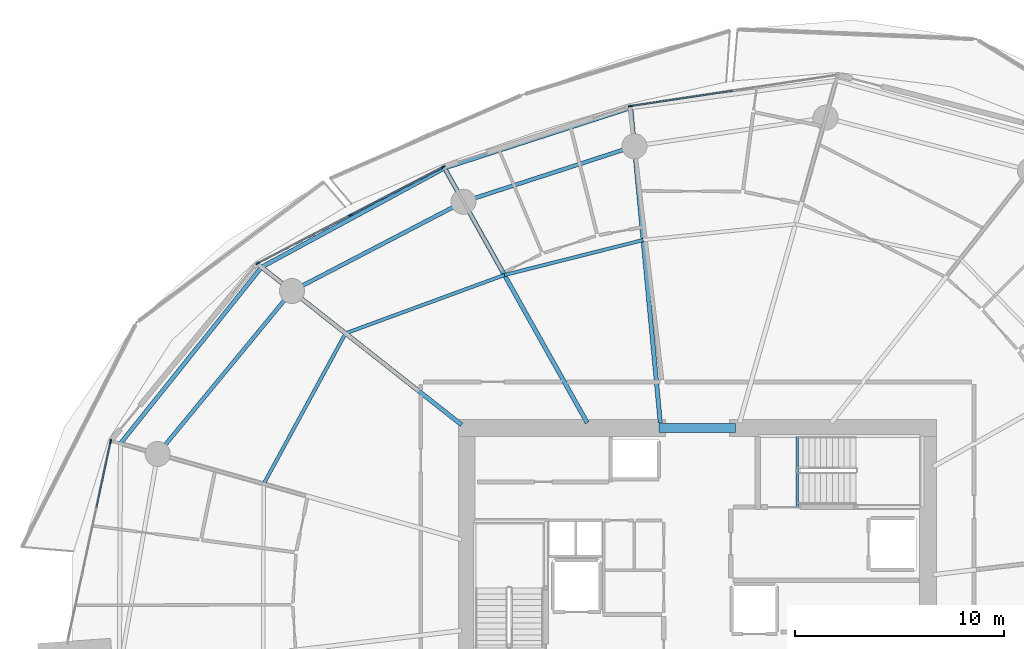
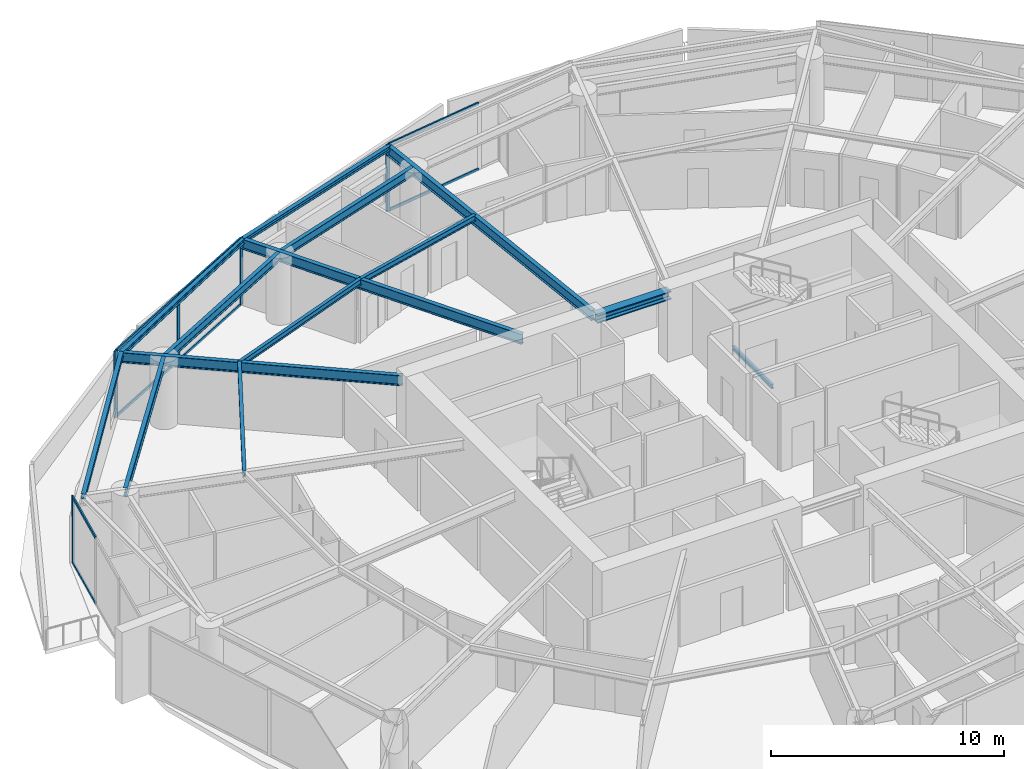
# One storey, part 8 of 23: 14 beams, 13 members, 3 elements without a shape of their own.
"""IFC4 building model written with IfcOpenShell, lengths in metres."""

from ifc_helpers import new_model, si_unit, direction, frame, origin, origin_2d, place, context, subcontext, project, spatial, rectangle, i_section, extrude, material, layer, layer_set, material_profile, profile_set, type_object, element, aggregate, save


model = new_model("IFC4")

# Units and contexts
model_context = context("Model", 3, precision=1e-05, world=origin(), true_north=direction((0.0, 1.0)))
body_context = subcontext(model_context, "Body", "Model", "MODEL_VIEW")
ifc_project = project(units=[si_unit("LENGTHUNIT", "METRE"), si_unit("AREAUNIT", "SQUARE_METRE"), si_unit("VOLUMEUNIT", "CUBIC_METRE"), si_unit("PLANEANGLEUNIT", "RADIAN"), si_unit("MASSUNIT", "GRAM", prefix="KILO")], contexts=[model_context])

# Site, building, storey
site_placement = place(None, origin())
site = spatial("IfcSite", under=ifc_project, at=site_placement, CompositionType="ELEMENT")
building_placement = place(site_placement, origin())
building = spatial("IfcBuilding", under=site, at=building_placement, Name="Kazma Halo Residences", CompositionType="ELEMENT")
storey_placement = place(building_placement, frame((0.0, 0.0, 97.64990234375)))
storey = spatial("IfcBuildingStorey", under=building, at=storey_placement, Name="L24", CompositionType="ELEMENT", Elevation=97.64990234375)

# Beams
ifc_material_1 = material(Name="Steel S355", Category="steel")
ifc_material_profile_1 = material_profile(ifc_material_1, i_section(OverallWidth=0.201904296875, OverallDepth=0.2470703125, WebThickness=0.00732421875, FlangeThickness=0.010986328125, FilletRadius=0.011962890625, at=origin_2d()), Name="W250x49.1")
ifc_profile_set_1 = profile_set([ifc_material_profile_1], Name="Steel S355")
beam_type_1 = type_object("IfcBeamType", Name="BM-BAL-CANT", PredefinedType="BEAM", material=ifc_profile_set_1)
beam_1_placement = place(storey_placement, frame((45.239013671875, 65.7109375, 3.376708984375), z_axis=(-0.951364037255, -0.308068934846, 0.0), x_axis=(0.308068934846, -0.951364037255, 0.0)))
element("IfcBeam", 1, at=beam_1_placement, inside=storey, type_object=beam_type_1, Name="L24 wave-balcony tie beam 04", PredefinedType="BEAM", context=body_context, shape_type="SweptSolid", body=[
    extrude(i_section(OverallWidth=0.201904296875, OverallDepth=0.2470703125, WebThickness=0.00732421875, FlangeThickness=0.010986328125, FilletRadius=0.011962890625, at=origin_2d()), origin(), (0.0, 0.0, 1.0), 9.3583984375),
])
beam_2_placement = place(storey_placement, frame((36.335693359375, 62.827880859375, 3.376708984375), z_axis=(-0.87930438671, -0.476260218276, 0.0), x_axis=(0.476260218276, -0.87930438671, 0.0)))
element("IfcBeam", 2, at=beam_2_placement, inside=storey, type_object=beam_type_1, Name="L24 wave-balcony tie beam 05", PredefinedType="BEAM", context=body_context, shape_type="SweptSolid", body=[
    extrude(i_section(OverallWidth=0.201904296875, OverallDepth=0.2470703125, WebThickness=0.00732421875, FlangeThickness=0.010986328125, FilletRadius=0.011962890625, at=origin_2d()), origin(), (0.0, 0.0, 1.0), 9.94677734375),
])
beam_3_placement = place(storey_placement, frame((27.58935546875, 58.090576171875, 3.376708984375), z_axis=(-0.62477775999, -0.78080263231, 0.0), x_axis=(0.78080263231, -0.62477775999, 0.0)))
element("IfcBeam", 3, at=beam_3_placement, inside=storey, type_object=beam_type_1, Name="L24 wave-balcony tie beam 06", PredefinedType="BEAM", context=body_context, shape_type="SweptSolid", body=[
    extrude(i_section(OverallWidth=0.201904296875, OverallDepth=0.2470703125, WebThickness=0.00732421875, FlangeThickness=0.010986328125, FilletRadius=0.011962890625, at=origin_2d()), origin(), (0.0, 0.0, 1.0), 10.79833984375),
])
ifc_material_profile_2 = material_profile(ifc_material_1, i_section(OverallWidth=0.408935546875, OverallDepth=0.425048828125, WebThickness=0.03271484375, FlangeThickness=0.052490234375, FilletRadius=0.02001953125, at=origin_2d()), Name="W360x421")
ifc_profile_set_2 = profile_set([ifc_material_profile_2], Name="Steel S355")
beam_type_2 = type_object("IfcBeamType", Name="BM-CORE-W360H", PredefinedType="BEAM", material=ifc_profile_set_2)
beam_4_placement = place(storey_placement, frame((46.60009765625, 50.39990234375, 3.28759765625), z_axis=(1.0, 0.0, 0.0), x_axis=(0.0, 1.0, 0.0)))
element("IfcBeam", 4, at=beam_4_placement, inside=storey, type_object=beam_type_2, Name="L24 core coupling beam N", PredefinedType="BEAM", context=body_context, shape_type="SweptSolid", body=[
    extrude(i_section(OverallWidth=0.408935546875, OverallDepth=0.425048828125, WebThickness=0.03271484375, FlangeThickness=0.052490234375, FilletRadius=0.02001953125, at=origin_2d()), origin(), (0.0, 0.0, 1.0), 3.64990234375),
])
ifc_material_profile_3 = material_profile(ifc_material_1, i_section(OverallWidth=0.208984375, OverallDepth=0.532958984375, WebThickness=0.01025390625, FlangeThickness=0.015625, FilletRadius=0.01611328125, at=origin_2d()), Name="W530x92")
ifc_profile_set_3 = profile_set([ifc_material_profile_3], Name="Steel S355")
beam_type_3 = type_object("IfcBeamType", Name="BM-RAD-W530", PredefinedType="BEAM", material=ifc_profile_set_3)
beam_5_placement = place(storey_placement, frame((46.64990234375, 50.64990234375, 3.233642578125), z_axis=(-0.093269713752, 0.995640879282, 0.0), x_axis=(-0.995640879282, -0.093269713752, 0.0)))
element("IfcBeam", 5, at=beam_5_placement, inside=storey, type_object=beam_type_3, Name="L24 radial floor beam 04", PredefinedType="BEAM", context=body_context, shape_type="SweptSolid", body=[
    extrude(i_section(OverallWidth=0.208984375, OverallDepth=0.532958984375, WebThickness=0.01025390625, FlangeThickness=0.015625, FilletRadius=0.01611328125, at=origin_2d()), origin(), (0.0, 0.0, 1.0), 15.126953125),
])
beam_6_placement = place(storey_placement, frame((43.15576171875, 50.64990234375, 3.233642578125), z_axis=(-0.488625206529, 0.872493786536, 0.0), x_axis=(-0.872493786536, -0.488625206529, 0.0)))
element("IfcBeam", 6, at=beam_6_placement, inside=storey, type_object=beam_type_3, Name="L24 radial floor beam 05", PredefinedType="BEAM", context=body_context, shape_type="SweptSolid", body=[
    extrude(i_section(OverallWidth=0.208984375, OverallDepth=0.532958984375, WebThickness=0.01025390625, FlangeThickness=0.015625, FilletRadius=0.01611328125, at=origin_2d()), origin(), (0.0, 0.0, 1.0), 13.957763671875),
])
beam_7_placement = place(storey_placement, frame((37.14990234375, 50.553466796875, 3.233642578125), z_axis=(-0.785309664997, 0.619103165929, 0.0), x_axis=(-0.619103165929, -0.785309664997, 0.0)))
element("IfcBeam", 7, at=beam_7_placement, inside=storey, type_object=beam_type_3, Name="L24 radial floor beam 06", PredefinedType="BEAM", context=body_context, shape_type="SweptSolid", body=[
    extrude(i_section(OverallWidth=0.208984375, OverallDepth=0.532958984375, WebThickness=0.01025390625, FlangeThickness=0.015625, FilletRadius=0.01611328125, at=origin_2d()), origin(), (0.0, 0.0, 1.0), 12.17431640625),
])
ifc_material_profile_4 = material_profile(ifc_material_1, i_section(OverallWidth=0.1650390625, OverallDepth=0.31005859375, WebThickness=0.005859375, FlangeThickness=0.009765625, FilletRadius=0.011962890625, at=origin_2d()), Name="W310x38.7")
ifc_profile_set_4 = profile_set([ifc_material_profile_4], Name="Steel S355")
beam_type_4 = type_object("IfcBeamType", Name="BM-SEC-W310B", PredefinedType="JOIST", material=ifc_profile_set_4)
beam_8_placement = place(storey_placement, frame((45.83154296875, 59.385498046875, 3.34521484375), z_axis=(-0.969640662449, -0.244534221993, 0.0), x_axis=(0.244534221993, -0.969640662449, 0.0)))
element("IfcBeam", 8, at=beam_8_placement, inside=storey, type_object=beam_type_4, Name="L24 circumferential floor joist 04", PredefinedType="JOIST", context=body_context, shape_type="SweptSolid", body=[
    extrude(i_section(OverallWidth=0.1650390625, OverallDepth=0.31005859375, WebThickness=0.005859375, FlangeThickness=0.009765625, FilletRadius=0.011962890625, at=origin_2d()), origin(), (0.0, 0.0, 1.0), 6.8388671875),
])
beam_9_placement = place(storey_placement, frame((39.2001953125, 57.713134765625, 3.34521484375), z_axis=(-0.93875304644, -0.344590652513, 0.0), x_axis=(0.344590652513, -0.93875304644, 0.0)))
element("IfcBeam", 9, at=beam_9_placement, inside=storey, type_object=beam_type_4, Name="L24 circumferential floor joist 05", PredefinedType="JOIST", context=body_context, shape_type="SweptSolid", body=[
    extrude(i_section(OverallWidth=0.1650390625, OverallDepth=0.31005859375, WebThickness=0.005859375, FlangeThickness=0.009765625, FilletRadius=0.011962890625, at=origin_2d()), origin(), (0.0, 0.0, 1.0), 8.091064453125),
])
beam_10_placement = place(storey_placement, frame((31.604736328125, 54.925048828125, 3.34521484375), z_axis=(-0.477621844446, -0.878565520441, 0.0), x_axis=(0.878565520441, -0.477621844446, 0.0)))
element("IfcBeam", 10, at=beam_10_placement, inside=storey, type_object=beam_type_4, Name="L24 circumferential floor joist 06", PredefinedType="JOIST", context=body_context, shape_type="SweptSolid", body=[
    extrude(i_section(OverallWidth=0.1650390625, OverallDepth=0.31005859375, WebThickness=0.005859375, FlangeThickness=0.009765625, FilletRadius=0.011962890625, at=origin_2d()), origin(), (0.0, 0.0, 1.0), 8.1923828125),
])
ifc_material_profile_5 = material_profile(ifc_material_1, i_section(OverallWidth=0.18994140625, OverallDepth=0.45703125, WebThickness=0.009033203125, FlangeThickness=0.014404296875, FilletRadius=0.01611328125, at=origin_2d()), Name="W460x74")
ifc_profile_set_5 = profile_set([ifc_material_profile_5], Name="Steel S355")
beam_type_5 = type_object("IfcBeamType", Name="BM-SPN-W460", PredefinedType="BEAM", material=ifc_profile_set_5)
beam_11_placement = place(storey_placement, frame((45.41162109375, 63.869140625, 3.271484375), z_axis=(-0.951054111927, -0.30902439416, 0.0), x_axis=(0.30902439416, -0.951054111927, 0.0)))
element("IfcBeam", 11, at=beam_11_placement, inside=storey, type_object=beam_type_5, Name="L24 perimeter ring beam 04", PredefinedType="BEAM", context=body_context, shape_type="SweptSolid", body=[
    extrude(i_section(OverallWidth=0.18994140625, OverallDepth=0.45703125, WebThickness=0.009033203125, FlangeThickness=0.014404296875, FilletRadius=0.01611328125, at=origin_2d()), origin(), (0.0, 0.0, 1.0), 8.592529296875),
])
beam_12_placement = place(storey_placement, frame((37.23974609375, 61.2138671875, 3.271484375), z_axis=(-0.886963229644, -0.461840047266, 0.0), x_axis=(0.461840047266, -0.886963229644, 0.0)))
element("IfcBeam", 12, at=beam_12_placement, inside=storey, type_object=beam_type_5, Name="L24 perimeter ring beam 05", PredefinedType="BEAM", context=body_context, shape_type="SweptSolid", body=[
    extrude(i_section(OverallWidth=0.18994140625, OverallDepth=0.45703125, WebThickness=0.009033203125, FlangeThickness=0.014404296875, FilletRadius=0.01611328125, at=origin_2d()), origin(), (0.0, 0.0, 1.0), 9.242431640625),
])
beam_13_placement = place(storey_placement, frame((29.0419921875, 56.9453125, 3.271484375), z_axis=(-0.635989564566, -0.771697656963, 0.0), x_axis=(0.771697656963, -0.635989564566, 0.0)))
element("IfcBeam", 13, at=beam_13_placement, inside=storey, type_object=beam_type_5, Name="L24 perimeter ring beam 06", PredefinedType="BEAM", context=body_context, shape_type="SweptSolid", body=[
    extrude(i_section(OverallWidth=0.18994140625, OverallDepth=0.45703125, WebThickness=0.009033203125, FlangeThickness=0.014404296875, FilletRadius=0.01611328125, at=origin_2d()), origin(), (0.0, 0.0, 1.0), 10.092529296875),
])
ifc_material_profile_6 = material_profile(ifc_material_1, i_section(OverallWidth=0.133056640625, OverallDepth=0.20703125, WebThickness=0.005859375, FlangeThickness=0.00830078125, FilletRadius=0.010009765625, at=origin_2d()), Name="W200x26.6")
ifc_profile_set_6 = profile_set([ifc_material_profile_6], Name="Steel S355")
beam_type_6 = type_object("IfcBeamType", Name="BM-TRIM-W200", PredefinedType="BEAM", material=ifc_profile_set_6)
beam_14_placement = place(storey_placement, frame((53.199951171875, 46.6201171875, -0.35986328125), z_axis=(0.0, 1.0, 0.0), x_axis=(-1.0, 0.0, 0.0)))
element("IfcBeam", 14, at=beam_14_placement, inside=storey, type_object=beam_type_6, Name="L24 ST-02 floor landing support beam", PredefinedType="BEAM", context=body_context, shape_type="SweptSolid", body=[
    extrude(i_section(OverallWidth=0.133056640625, OverallDepth=0.20703125, WebThickness=0.005859375, FlangeThickness=0.00830078125, FilletRadius=0.010009765625, at=origin_2d()), origin(), (0.0, 0.0, 1.0), 3.3798828125),
])

# Curtain wall, member
ifc_material_2 = material(Name="Aluminium AW-6063 T6 and Triple-Silver Low-E Glass", Category="aluminium")
ifc_layer = layer(ifc_material_2, 0.199951171875)
ifc_layer_set = layer_set([ifc_layer], Name="Aluminium AW-6063 T6 and Triple-Silver Low-E Glass")
curtain_wall_type = type_object("IfcCurtainWallType", Name="CW-SYS-3", PredefinedType="NOTDEFINED", material=ifc_layer_set)
curtain_wall_1_placement = place(storey_placement, origin())
curtain_wall_1 = element("IfcCurtainWall", 15, at=curtain_wall_1_placement, inside=storey, type_object=curtain_wall_type, Name="L24 unitised curtain wall B03", PredefinedType="NOTDEFINED")
ifc_material_3 = material(Name="Aluminium AW-6063 T6", Category="aluminium")
ifc_material_profile_7 = material_profile(ifc_material_3, rectangle(XDim=0.070068359375, YDim=0.199951171875, at=origin_2d()), Name="CWM-70x200")
ifc_profile_set_7 = profile_set([ifc_material_profile_7], Name="Aluminium AW-6063 T6")
member_type_1 = type_object("IfcMemberType", Name="CW-SYS-3-MUL", PredefinedType="MULLION", material=ifc_profile_set_7)
member_1_placement = place(storey_placement, frame((45.219970703125, 65.78662109375, 0.0), z_axis=(0.0, 0.0, 1.0), x_axis=(0.148717330409, -0.988879747814, 0.0)))
member_1 = element("IfcMember", 16, at=member_1_placement, type_object=member_type_1, Name="CWS-3 mullion 3", PredefinedType="MULLION", context=body_context, shape_type="SweptSolid", body=[
    extrude(rectangle(XDim=0.070068359375, YDim=0.199951171875, at=origin_2d()), origin(), (0.0, 0.0, 1.0), 3.5),
])

# Curtain wall, members
curtain_wall_2_placement = place(storey_placement, origin())
curtain_wall_2 = element("IfcCurtainWall", 17, at=curtain_wall_2_placement, inside=storey, type_object=curtain_wall_type, Name="L24 unitised curtain wall B05", PredefinedType="NOTDEFINED")
member_2_placement = place(storey_placement, frame((36.267822265625, 62.8779296875, 0.0), z_axis=(0.0, 0.0, 1.0), x_axis=(0.460932159481, -0.887435374749, 0.0)))
member_2 = element("IfcMember", 18, at=member_2_placement, type_object=member_type_1, Name="CWS-3 mullion 1", PredefinedType="MULLION", context=body_context, shape_type="SweptSolid", body=[
    extrude(rectangle(XDim=0.070068359375, YDim=0.199951171875, at=origin_2d()), origin(), (0.0, 0.0, 1.0), 3.5),
])
member_3_placement = place(storey_placement, frame((31.8369140625, 60.57666015625, 0.0), z_axis=(0.0, 0.0, 1.0), x_axis=(0.460932159481, -0.887435374749, 0.0)))
member_3 = element("IfcMember", 19, at=member_3_placement, type_object=member_type_1, Name="CWS-3 mullion 2", PredefinedType="MULLION", context=body_context, shape_type="SweptSolid", body=[
    extrude(rectangle(XDim=0.070068359375, YDim=0.199951171875, at=origin_2d()), origin(), (0.0, 0.0, 1.0), 3.5),
])
member_4_placement = place(storey_placement, frame((27.40625, 58.275390625, 0.0), z_axis=(0.0, 0.0, 1.0), x_axis=(0.460932159481, -0.887435374749, 0.0)))
member_4 = element("IfcMember", 20, at=member_4_placement, type_object=member_type_1, Name="CWS-3 mullion 3", PredefinedType="MULLION", context=body_context, shape_type="SweptSolid", body=[
    extrude(rectangle(XDim=0.070068359375, YDim=0.199951171875, at=origin_2d()), origin(), (0.0, 0.0, 1.0), 3.5),
])

# Curtain wall, member
curtain_wall_3_placement = place(storey_placement, origin())
curtain_wall_3 = element("IfcCurtainWall", 21, at=curtain_wall_3_placement, inside=storey, type_object=curtain_wall_type, Name="L24 unitised curtain wall B07", PredefinedType="NOTDEFINED")
member_5_placement = place(storey_placement, frame((20.3740234375, 49.755126953125, 0.0), z_axis=(0.0, 0.0, 1.0), x_axis=(0.977774176093, -0.209660822677, 0.0)))
member_5 = element("IfcMember", 22, at=member_5_placement, type_object=member_type_1, Name="CWS-3 mullion 1", PredefinedType="MULLION", context=body_context, shape_type="SweptSolid", body=[
    extrude(rectangle(XDim=0.070068359375, YDim=0.199951171875, at=origin_2d()), origin(), (0.0, 0.0, 1.0), 3.5),
])

# Member
ifc_material_profile_8 = material_profile(ifc_material_3, rectangle(XDim=0.070068359375, YDim=0.14990234375, at=origin_2d()), Name="CWT-70x150")
ifc_profile_set_8 = profile_set([ifc_material_profile_8], Name="Aluminium AW-6063 T6")
member_type_2 = type_object("IfcMemberType", Name="CW-SYS-3-TRN", PredefinedType="USERDEFINED", material=ifc_profile_set_8)
member_6_placement = place(storey_placement, frame((50.12255859375, 66.52392578125, 0.03515625), z_axis=(-0.988884271372, -0.148687248386, 0.0), x_axis=(0.148687248386, -0.988884271372, 0.0)))
member_6 = element("IfcMember", 23, at=member_6_placement, type_object=member_type_2, Name="CWS-3 transom 2.1", ObjectType="TRANSOM", PredefinedType="USERDEFINED", context=body_context, shape_type="SweptSolid", body=[
    extrude(rectangle(XDim=0.070068359375, YDim=0.14990234375, at=origin_2d()), origin(), (0.0, 0.0, 1.0), 4.922607421875),
])

member_7_placement = place(storey_placement, frame((50.12255859375, 66.52392578125, 3.465087890625), z_axis=(-0.988884271372, -0.148687248386, 0.0), x_axis=(0.148687248386, -0.988884271372, 0.0)))
member_7 = element("IfcMember", 24, at=member_7_placement, type_object=member_type_2, Name="CWS-3 transom 2.2", ObjectType="TRANSOM", PredefinedType="USERDEFINED", context=body_context, shape_type="SweptSolid", body=[
    extrude(rectangle(XDim=0.070068359375, YDim=0.14990234375, at=origin_2d()), origin(), (0.0, 0.0, 1.0), 4.922607421875),
])

aggregate(curtain_wall_1, [member_1, member_6, member_7])

member_8_placement = place(storey_placement, frame((36.236572265625, 62.86181640625, 0.03515625), z_axis=(-0.887427024944, -0.460948235054, 0.0), x_axis=(0.460948235054, -0.887427024944, 0.0)))
member_8 = element("IfcMember", 25, at=member_8_placement, type_object=member_type_2, Name="CWS-3 transom 1.1", ObjectType="TRANSOM", PredefinedType="USERDEFINED", context=body_context, shape_type="SweptSolid", body=[
    extrude(rectangle(XDim=0.070068359375, YDim=0.14990234375, at=origin_2d()), origin(), (0.0, 0.0, 1.0), 4.922607421875),
])

member_9_placement = place(storey_placement, frame((36.236572265625, 62.86181640625, 3.465087890625), z_axis=(-0.887427024944, -0.460948235054, 0.0), x_axis=(0.460948235054, -0.887427024944, 0.0)))
member_9 = element("IfcMember", 26, at=member_9_placement, type_object=member_type_2, Name="CWS-3 transom 1.2", ObjectType="TRANSOM", PredefinedType="USERDEFINED", context=body_context, shape_type="SweptSolid", body=[
    extrude(rectangle(XDim=0.070068359375, YDim=0.14990234375, at=origin_2d()), origin(), (0.0, 0.0, 1.0), 4.922607421875),
])

member_10_placement = place(storey_placement, frame((31.805908203125, 60.560546875, 0.03515625), z_axis=(-0.887437562141, -0.460927948058, 0.0), x_axis=(0.460927948058, -0.887437562141, 0.0)))
member_10 = element("IfcMember", 27, at=member_10_placement, type_object=member_type_2, Name="CWS-3 transom 2.1", ObjectType="TRANSOM", PredefinedType="USERDEFINED", context=body_context, shape_type="SweptSolid", body=[
    extrude(rectangle(XDim=0.070068359375, YDim=0.14990234375, at=origin_2d()), origin(), (0.0, 0.0, 1.0), 4.9228515625),
])

member_11_placement = place(storey_placement, frame((31.805908203125, 60.560546875, 3.465087890625), z_axis=(-0.887437562141, -0.460927948058, 0.0), x_axis=(0.460927948058, -0.887437562141, 0.0)))
member_11 = element("IfcMember", 28, at=member_11_placement, type_object=member_type_2, Name="CWS-3 transom 2.2", ObjectType="TRANSOM", PredefinedType="USERDEFINED", context=body_context, shape_type="SweptSolid", body=[
    extrude(rectangle(XDim=0.070068359375, YDim=0.14990234375, at=origin_2d()), origin(), (0.0, 0.0, 1.0), 4.9228515625),
])

aggregate(curtain_wall_2, [member_2, member_3, member_4, member_8, member_9, member_10, member_11])

member_12_placement = place(storey_placement, frame((20.36669921875, 49.720947265625, 0.03515625), z_axis=(-0.209702197956, -0.977765303216, 0.0), x_axis=(0.977765303216, -0.209702197956, 0.0)))
member_12 = element("IfcMember", 29, at=member_12_placement, type_object=member_type_2, Name="CWS-3 transom 1.1", ObjectType="TRANSOM", PredefinedType="USERDEFINED", context=body_context, shape_type="SweptSolid", body=[
    extrude(rectangle(XDim=0.070068359375, YDim=0.14990234375, at=origin_2d()), origin(), (0.0, 0.0, 1.0), 3.17822265625),
])

member_13_placement = place(storey_placement, frame((20.36669921875, 49.720947265625, 3.465087890625), z_axis=(-0.209702197956, -0.977765303216, 0.0), x_axis=(0.977765303216, -0.209702197956, 0.0)))
member_13 = element("IfcMember", 30, at=member_13_placement, type_object=member_type_2, Name="CWS-3 transom 1.2", ObjectType="TRANSOM", PredefinedType="USERDEFINED", context=body_context, shape_type="SweptSolid", body=[
    extrude(rectangle(XDim=0.070068359375, YDim=0.14990234375, at=origin_2d()), origin(), (0.0, 0.0, 1.0), 3.17822265625),
])

aggregate(curtain_wall_3, [member_5, member_12, member_13])

save(model, "model.ifc")
